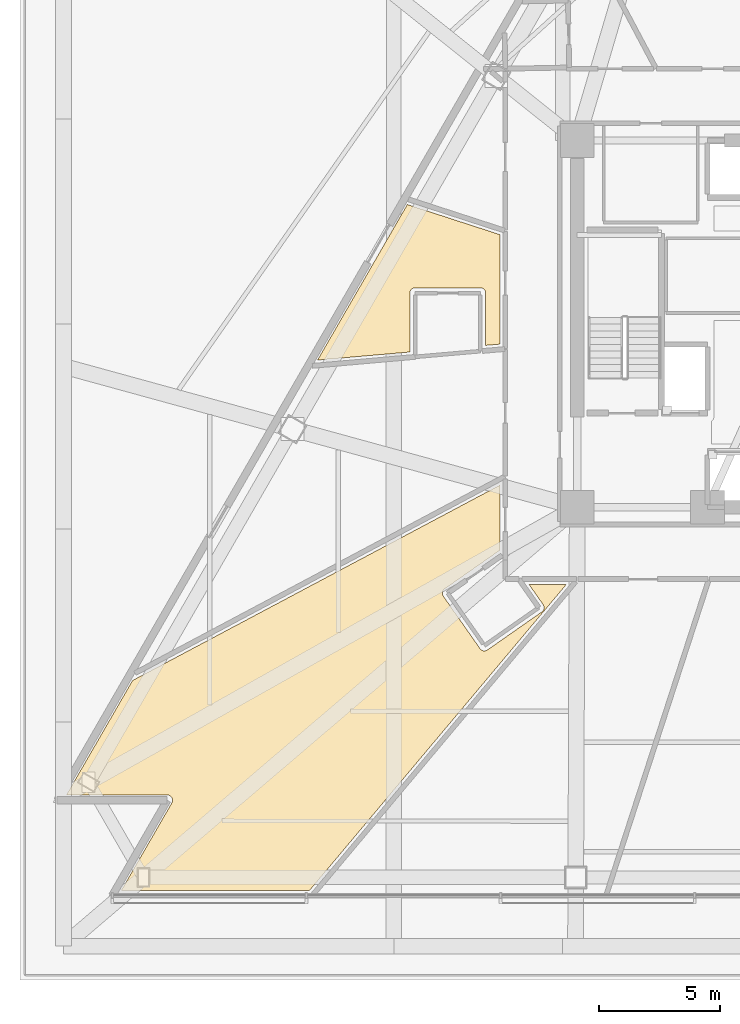
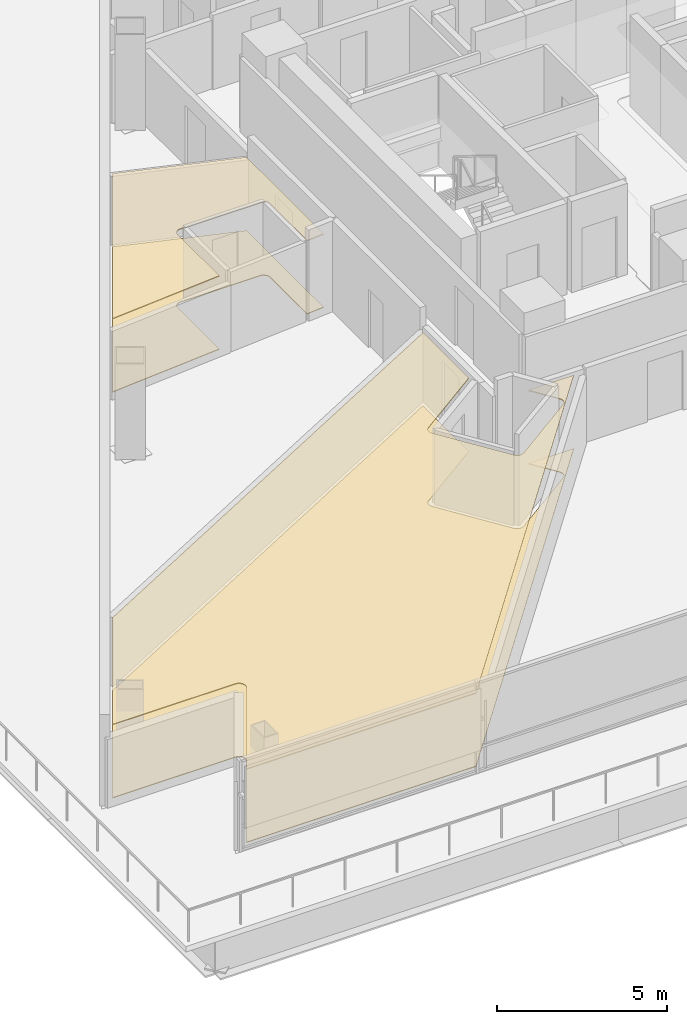
# One storey, part 15 of 19: 4 coverings.
"""IFC4 building model written with IfcOpenShell, lengths in metres."""

import ifcopenshell
import ifcopenshell.guid

model = None  # the IFC model being written
_history = None  # IfcOwnerHistory: only IFC2X3 demands one
_inside = {}  # id of a spatial element -> (the spatial element, [elements in it])
_under = {}  # id of a project, library or spatial element -> (it, [spatial elements below it])
_declared = {}  # id of a project -> (the project, [libraries it declares])
_typed = {}  # id of a type object -> (the type object, [elements of that type])
_made_of = {}  # id of a material, layer set ... -> (it, [elements and type objects made of it])


def new_model(schema):
    """Start an empty IFC model of exactly this schema.

    Asked for "IFC4X3", IfcOpenShell would pick the latest addendum, in which some entities
    have other attributes; the version numbers below select the first issue.
    IFC2X3 requires an IfcOwnerHistory on every rooted entity: one is made here for all.
    """
    global model, _history
    if schema == "IFC4X3":
        model = ifcopenshell.file(schema_version=(4, 3, 0, 0))
    else:
        model = ifcopenshell.file(schema=schema)
    _inside.clear()
    _under.clear()
    _declared.clear()
    _typed.clear()
    _made_of.clear()
    _history = None
    if model.schema == "IFC2X3":
        org = make("IfcOrganization", Name="unknown")
        user = make(
            "IfcPersonAndOrganization",
            ThePerson=make("IfcPerson", FamilyName="unknown"),
            TheOrganization=org,
        )
        app = make(
            "IfcApplication",
            ApplicationDeveloper=org,
            Version="unknown",
            ApplicationFullName="unknown",
            ApplicationIdentifier="unknown",
        )
        _history = make(
            "IfcOwnerHistory",
            OwningUser=user,
            OwningApplication=app,
            ChangeAction="ADDED",
            CreationDate=0,
        )
    return model


def make(cls, **values):
    """One entity of the class cls with the attributes given. An attribute that is None is left unset."""
    return model.create_entity(
        cls, **{name: value for name, value in values.items() if value is not None}
    )


def rooted(cls, **values):
    """An entity with a GlobalId (a new one), such as an element, a storey or a relation."""
    return make(cls, GlobalId=ifcopenshell.guid.new(), OwnerHistory=_history, **values)


def si_unit(unit_type, name, prefix=None):
    """IfcSIUnit, for example si_unit("LENGTHUNIT", "METRE", prefix="MILLI")."""
    return make("IfcSIUnit", UnitType=unit_type, Prefix=prefix, Name=name)


def assignment(units):
    """IfcUnitAssignment: the units of a project."""
    return None if units is None else make("IfcUnitAssignment", Units=units)


def point(xyz):
    """IfcCartesianPoint."""
    return None if xyz is None else make("IfcCartesianPoint", Coordinates=xyz)


def direction(xyz):
    """IfcDirection."""
    return None if xyz is None else make("IfcDirection", DirectionRatios=xyz)


def frame(location, z_axis=None, x_axis=None):
    """IfcAxis2Placement3D, a coordinate frame: its origin and axes. An axis left out is left unset."""
    return make(
        "IfcAxis2Placement3D",
        Location=point(location),
        Axis=direction(z_axis),
        RefDirection=direction(x_axis),
    )


def origin():
    """The frame at (0, 0, 0) with its axes left unset."""
    return frame((0.0, 0.0, 0.0))


def place(relative_to, where):
    """IfcLocalPlacement: puts the frame where relative to a parent placement (None: the world)."""
    return make(
        "IfcLocalPlacement", PlacementRelTo=relative_to, RelativePlacement=where
    )


def context(
    kind, dimensions, precision=None, world=None, true_north=None, identifier=None
):
    """IfcGeometricRepresentationContext, for example the 3D "Model" context."""
    return make(
        "IfcGeometricRepresentationContext",
        ContextIdentifier=identifier,
        ContextType=kind,
        CoordinateSpaceDimension=dimensions,
        Precision=precision,
        WorldCoordinateSystem=world,
        TrueNorth=true_north,
    )


def subcontext(parent, identifier, kind, view, scale=None):
    """IfcGeometricRepresentationSubContext, for example "Body" below "Model"."""
    return make(
        "IfcGeometricRepresentationSubContext",
        ContextIdentifier=identifier,
        ContextType=kind,
        ParentContext=parent,
        TargetScale=scale,
        TargetView=view,
    )


def project(units=None, contexts=None):
    """IfcProject with its units and contexts."""
    return rooted(
        "IfcProject",
        Name="project",
        RepresentationContexts=contexts,
        UnitsInContext=assignment(units),
    )


def spatial(cls, under=None, at=None, **own):
    """A site, building, storey or space (cls), placed at a placement, below another one or the project."""
    s = rooted(cls, ObjectPlacement=at, **own)
    if under is not None:
        _under.setdefault(under.id(), (under, []))[1].append(s)
    return s


def polyline(points):
    """IfcPolyline through the points."""
    return make("IfcPolyline", Points=[point(p) for p in points])


def outline(outer, holes=None, kind="AREA"):
    """IfcArbitraryClosedProfileDef: a profile drawn as a closed curve; with holes, ...WithVoids."""
    if holes is None:
        return make("IfcArbitraryClosedProfileDef", ProfileType=kind, OuterCurve=outer)
    return make(
        "IfcArbitraryProfileDefWithVoids",
        ProfileType=kind,
        OuterCurve=outer,
        InnerCurves=holes,
    )


def extrude(swept, where, along, depth):
    """IfcExtrudedAreaSolid: the profile swept, set in the frame where, extruded along a direction by depth."""
    return make(
        "IfcExtrudedAreaSolid",
        SweptArea=swept,
        Position=where,
        ExtrudedDirection=direction(along),
        Depth=depth,
    )


def shape(context_of_items, identifier, shape_type, items):
    """IfcShapeRepresentation: the items that make up one representation, for example the "Body"."""
    return make(
        "IfcShapeRepresentation",
        ContextOfItems=context_of_items,
        RepresentationIdentifier=identifier,
        RepresentationType=shape_type,
        Items=items,
    )


def material(Name=None, Category=None):
    """IfcMaterial."""
    return make("IfcMaterial", Name=Name, Category=Category)


def layer(
    of_material, thickness, ventilated=None, Name=None, Category=None, Priority=None
):
    """IfcMaterialLayer: one layer of a wall or slab, of a material (None: an air gap)."""
    return make(
        "IfcMaterialLayer",
        Material=of_material,
        LayerThickness=thickness,
        IsVentilated=ventilated,
        Name=Name,
        Category=Category,
        Priority=Priority,
    )


def layer_set(layers, Name=None):
    """IfcMaterialLayerSet."""
    return make("IfcMaterialLayerSet", MaterialLayers=layers, LayerSetName=Name)


def made_of(thing, what):
    """Note that an element or type object is made of a material, layer set ...; save() writes the relation."""
    if what is not None:
        _made_of.setdefault(what.id(), (what, []))[1].append(thing)
    return thing


def type_object(cls, material=None, **own):
    """A type object (cls), such as IfcWallType, which elements share."""
    return made_of(rooted(cls, **own), material)


def element(
    cls,
    number,
    at=None,
    inside=None,
    cuts=None,
    type_object=None,
    material=None,
    context=None,
    identifier="Body",
    shape_type=None,
    held_by="IfcProductDefinitionShape",
    body=None,
    shapes=None,
    **own,
):
    """One element of the class cls, such as IfcWall. Its Tag is "e" and its number.

    at: its placement. inside: the storey or other place that contains it. cuts: it is an
    opening in that element (IfcRelVoidsElement). A single representation is given by context,
    identifier, shape_type and body (its items); several are given by shapes. held_by: the class
    of the entity that holds the representations. save() writes the other relations.
    """
    e = rooted(cls, Tag="e%d" % number, ObjectPlacement=at, **own)
    if body is not None:
        shapes = [shape(context, identifier, shape_type, body)]
    if shapes is not None:
        e.Representation = make(held_by, Representations=shapes)
    if inside is not None:
        _inside.setdefault(inside.id(), (inside, []))[1].append(e)
    if cuts is not None:
        rooted(
            "IfcRelVoidsElement", RelatingBuildingElement=cuts, RelatedOpeningElement=e
        )
    if type_object is not None:
        _typed.setdefault(type_object.id(), (type_object, []))[1].append(e)
    return made_of(e, material)


def aggregate(whole, parts):
    """IfcRelAggregates: a whole, such as a stair, and the parts it consists of."""
    return rooted("IfcRelAggregates", RelatingObject=whole, RelatedObjects=parts)


def save(model, path):
    """Write the relations noted so far, then the file.

    IfcRelAggregates (storeys below a building ...), IfcRelContainedInSpatialStructure (elements
    in a storey), IfcRelDefinesByType, IfcRelAssociatesMaterial and IfcRelDeclares: one each for
    every whole, place, type object, material and project.
    """
    for whole, parts in _under.values():
        aggregate(whole, parts)
    for where, things in _inside.values():
        rooted(
            "IfcRelContainedInSpatialStructure",
            RelatedElements=things,
            RelatingStructure=where,
        )
    for kind, things in _typed.values():
        rooted("IfcRelDefinesByType", RelatedObjects=things, RelatingType=kind)
    for what, things in _made_of.values():
        rooted("IfcRelAssociatesMaterial", RelatedObjects=things, RelatingMaterial=what)
    for by, libraries in _declared.values():
        rooted("IfcRelDeclares", RelatingContext=by, RelatedDefinitions=libraries)
    model.write(path)


model = new_model("IFC4")

# Units and contexts
model_context = context("Model", 3, precision=1e-05, world=origin(), true_north=direction((0.0, 1.0)))
body_context = subcontext(model_context, "Body", "Model", "MODEL_VIEW")
ifc_project = project(units=[si_unit("LENGTHUNIT", "METRE"), si_unit("AREAUNIT", "SQUARE_METRE"), si_unit("VOLUMEUNIT", "CUBIC_METRE"), si_unit("PLANEANGLEUNIT", "RADIAN"), si_unit("MASSUNIT", "GRAM", prefix="KILO")], contexts=[model_context])

# Site, building, storey
site_placement = place(None, origin())
site = spatial("IfcSite", under=ifc_project, at=site_placement, CompositionType="ELEMENT")
building_placement = place(site_placement, origin())
building = spatial("IfcBuilding", under=site, at=building_placement, Name="Tharavind Bronze Gate", CompositionType="ELEMENT")
storey_placement = place(building_placement, frame((0.0, 0.0, 31.800048828125)))
storey = spatial("IfcBuildingStorey", under=building, at=storey_placement, Name="L06", CompositionType="ELEMENT", Elevation=31.800048828125)

# Coverings
ifc_material_1 = material(Name="Engineered Oak & Carpet Tile", Category="wood")
ifc_layer_1 = layer(ifc_material_1, 0.02490234375)
ifc_layer_set_1 = layer_set([ifc_layer_1], Name="Engineered Oak & Carpet Tile")
covering_type_1 = type_object("IfcCoveringType", Name="ENGINEERED TIMBER FLOORING", PredefinedType="FLOORING", material=ifc_layer_set_1)
covering_1_placement = place(storey_placement, origin())
element("IfcCovering", 1, at=covering_1_placement, inside=storey, type_object=covering_type_1, Name="L06-RM-08 floor finish", PredefinedType="FLOORING", context=body_context, shape_type="SweptSolid", body=[
    extrude(outline(polyline([(-15.8359375, -1.16455078125), (-15.8359375, 1.278076171875), (-15.834716796875, 1.2998046875), (-15.831787109375, 1.321044921875), (-15.826416015625, 1.342041015625), (-15.819091796875, 1.3623046875), (-15.809814453125, 1.3818359375), (-15.798828125, 1.400390625), (-15.785888671875, 1.417724609375), (-15.771484375, 1.43359375), (-15.755615234375, 1.4482421875), (-15.738037109375, 1.461181640625), (-15.719482421875, 1.47216796875), (-15.7001953125, 1.4814453125), (-15.6796875, 1.48876953125), (-15.65869140625, 1.493896484375), (-15.637451171875, 1.4970703125), (-15.615966796875, 1.498046875), (-12.916015625, 1.498046875), (-12.894287109375, 1.4970703125), (-12.873046875, 1.493896484375), (-12.85205078125, 1.48876953125), (-12.831787109375, 1.4814453125), (-12.812255859375, 1.47216796875), (-12.793701171875, 1.461181640625), (-12.7763671875, 1.4482421875), (-12.76025390625, 1.43359375), (-12.745849609375, 1.417724609375), (-12.73291015625, 1.400390625), (-12.721923828125, 1.3818359375), (-12.712646484375, 1.3623046875), (-12.705322265625, 1.342041015625), (-12.7001953125, 1.321044921875), (-12.697021484375, 1.2998046875), (-12.69580078125, 1.278076171875), (-12.69580078125, -0.889892578125), (-12.10009765625, -0.837890625), (-12.10009765625, 3.7001953125), (-15.941650390625, 4.948486328125), (-19.664306640625, -1.49951171875), (-15.8359375, -1.16455078125)])), origin(), (0.0, 0.0, 1.0), 0.02490234375),
])
covering_2_placement = place(storey_placement, origin())
element("IfcCovering", 2, at=covering_2_placement, inside=storey, type_object=covering_type_1, Name="L06-RM-10 floor finish", PredefinedType="FLOORING", context=body_context, shape_type="SweptSolid", body=[
    extrude(outline(polyline([(-25.896484375, -19.531005859375), (-25.885498046875, -19.53125), (-25.885009765625, -19.53125), (-25.863037109375, -19.533447265625), (-25.841552734375, -19.53759765625), (-25.820556640625, -19.544189453125), (-25.80029296875, -19.552734375), (-25.781005859375, -19.563232421875), (-25.762939453125, -19.57568359375), (-25.74609375, -19.589599609375), (-25.73095703125, -19.60546875), (-25.71728515625, -19.62255859375), (-25.705322265625, -19.640869140625), (-25.6953125, -19.660400390625), (-25.687255859375, -19.680908203125), (-25.681396484375, -19.701904296875), (-25.677490234375, -19.7236328125), (-25.67578125, -19.745361328125), (-25.676513671875, -19.767333984375), (-25.67919921875, -19.7890625), (-25.68408203125, -19.810546875), (-25.691162109375, -19.831298828125), (-25.7001953125, -19.851318359375), (-25.7001953125, -19.851806640625), (-25.70556640625, -19.861328125), (-27.794677734375, -23.47998046875), (-19.9892578125, -23.47998046875), (-9.349609375, -10.800048828125), (-10.897705078125, -10.800048828125), (-10.31396484375, -11.63427734375), (-10.302490234375, -11.652587890625), (-10.29296875, -11.671875), (-10.28515625, -11.692138671875), (-10.279541015625, -11.712890625), (-10.27587890625, -11.734130859375), (-10.2744140625, -11.755615234375), (-10.27490234375, -11.77734375), (-10.277587890625, -11.798583984375), (-10.282470703125, -11.81982421875), (-10.289306640625, -11.84033203125), (-10.298095703125, -11.860107421875), (-10.308837890625, -11.878662109375), (-10.3212890625, -11.896240234375), (-10.33544921875, -11.91259765625), (-10.35107421875, -11.927490234375), (-10.3681640625, -11.940673828125), (-12.62158203125, -13.51708984375), (-12.639892578125, -13.528564453125), (-12.6591796875, -13.5380859375), (-12.67919921875, -13.5458984375), (-12.7001953125, -13.551513671875), (-12.721435546875, -13.55517578125), (-12.742919921875, -13.556640625), (-12.764404296875, -13.55615234375), (-12.785888671875, -13.553466796875), (-12.806884765625, -13.548583984375), (-12.827392578125, -13.541748046875), (-12.84716796875, -13.532958984375), (-12.865966796875, -13.522216796875), (-12.883544921875, -13.509765625), (-12.89990234375, -13.49560546875), (-12.914794921875, -13.47998046875), (-12.927978515625, -13.462890625), (-14.447021484375, -11.29150390625), (-14.45849609375, -11.273193359375), (-14.468017578125, -11.25390625), (-14.475830078125, -11.233642578125), (-14.4814453125, -11.212890625), (-14.485107421875, -11.19140625), (-14.486572265625, -11.169921875), (-14.486083984375, -11.1484375), (-14.4833984375, -11.126953125), (-14.478515625, -11.10595703125), (-14.4716796875, -11.08544921875), (-14.462890625, -11.06591796875), (-14.4521484375, -11.047119140625), (-14.439697265625, -11.029296875), (-14.425537109375, -11.01318359375), (-14.409912109375, -10.998291015625), (-14.392822265625, -10.985107421875), (-12.139404296875, -9.40869140625), (-12.12109375, -9.397216796875), (-12.101806640625, -9.3876953125), (-12.10009765625, -9.386962890625), (-12.10009765625, -6.682861328125), (-27.333251953125, -14.782470703125), (-30.07470703125, -19.531005859375), (-25.896484375, -19.531005859375)])), origin(), (0.0, 0.0, 1.0), 0.02490234375),
])
ifc_material_2 = material(Name="Acoustic Gypsum Board", Category="gypsum")
ifc_layer_2 = layer(ifc_material_2, 0.030029296875)
ifc_layer_set_2 = layer_set([ifc_layer_2], Name="Acoustic Gypsum Board")
covering_type_2 = type_object("IfcCoveringType", Name="GYPSUM SUSPENDED CEILING", PredefinedType="CEILING", material=ifc_layer_set_2)
covering_3_placement = place(storey_placement, frame((0.0, 0.0, 2.625)))
element("IfcCovering", 3, at=covering_3_placement, inside=storey, type_object=covering_type_2, Name="L06-RM-08 suspended ceiling", PredefinedType="CEILING", context=body_context, shape_type="SweptSolid", body=[
    extrude(outline(polyline([(-15.8359375, -1.16455078125), (-15.8359375, 1.278076171875), (-15.834716796875, 1.2998046875), (-15.831787109375, 1.321044921875), (-15.826416015625, 1.342041015625), (-15.819091796875, 1.3623046875), (-15.809814453125, 1.3818359375), (-15.798828125, 1.400390625), (-15.785888671875, 1.417724609375), (-15.771484375, 1.43359375), (-15.755615234375, 1.4482421875), (-15.738037109375, 1.461181640625), (-15.719482421875, 1.47216796875), (-15.7001953125, 1.4814453125), (-15.6796875, 1.48876953125), (-15.65869140625, 1.493896484375), (-15.637451171875, 1.4970703125), (-15.615966796875, 1.498046875), (-12.916015625, 1.498046875), (-12.894287109375, 1.4970703125), (-12.873046875, 1.493896484375), (-12.85205078125, 1.48876953125), (-12.831787109375, 1.4814453125), (-12.812255859375, 1.47216796875), (-12.793701171875, 1.461181640625), (-12.7763671875, 1.4482421875), (-12.76025390625, 1.43359375), (-12.745849609375, 1.417724609375), (-12.73291015625, 1.400390625), (-12.721923828125, 1.3818359375), (-12.712646484375, 1.3623046875), (-12.705322265625, 1.342041015625), (-12.7001953125, 1.321044921875), (-12.697021484375, 1.2998046875), (-12.69580078125, 1.278076171875), (-12.69580078125, -0.889892578125), (-12.10009765625, -0.837890625), (-12.10009765625, 3.7001953125), (-15.941650390625, 4.948486328125), (-19.664306640625, -1.49951171875), (-15.8359375, -1.16455078125)])), origin(), (0.0, 0.0, 1.0), 0.034912109375),
])
covering_4_placement = place(storey_placement, frame((0.0, 0.0, 2.625)))
element("IfcCovering", 4, at=covering_4_placement, inside=storey, type_object=covering_type_2, Name="L06-RM-10 suspended ceiling", PredefinedType="CEILING", context=body_context, shape_type="SweptSolid", body=[
    extrude(outline(polyline([(-25.896484375, -19.531005859375), (-25.885498046875, -19.53125), (-25.885009765625, -19.53125), (-25.863037109375, -19.533447265625), (-25.841552734375, -19.53759765625), (-25.820556640625, -19.544189453125), (-25.80029296875, -19.552734375), (-25.781005859375, -19.563232421875), (-25.762939453125, -19.57568359375), (-25.74609375, -19.589599609375), (-25.73095703125, -19.60546875), (-25.71728515625, -19.62255859375), (-25.705322265625, -19.640869140625), (-25.6953125, -19.660400390625), (-25.687255859375, -19.680908203125), (-25.681396484375, -19.701904296875), (-25.677490234375, -19.7236328125), (-25.67578125, -19.745361328125), (-25.676513671875, -19.767333984375), (-25.67919921875, -19.7890625), (-25.68408203125, -19.810546875), (-25.691162109375, -19.831298828125), (-25.7001953125, -19.851318359375), (-25.7001953125, -19.851806640625), (-25.70556640625, -19.861328125), (-27.794677734375, -23.47998046875), (-19.9892578125, -23.47998046875), (-9.349609375, -10.800048828125), (-10.897705078125, -10.800048828125), (-10.31396484375, -11.63427734375), (-10.302490234375, -11.652587890625), (-10.29296875, -11.671875), (-10.28515625, -11.692138671875), (-10.279541015625, -11.712890625), (-10.27587890625, -11.734130859375), (-10.2744140625, -11.755615234375), (-10.27490234375, -11.77734375), (-10.277587890625, -11.798583984375), (-10.282470703125, -11.81982421875), (-10.289306640625, -11.84033203125), (-10.298095703125, -11.860107421875), (-10.308837890625, -11.878662109375), (-10.3212890625, -11.896240234375), (-10.33544921875, -11.91259765625), (-10.35107421875, -11.927490234375), (-10.3681640625, -11.940673828125), (-12.62158203125, -13.51708984375), (-12.639892578125, -13.528564453125), (-12.6591796875, -13.5380859375), (-12.67919921875, -13.5458984375), (-12.7001953125, -13.551513671875), (-12.721435546875, -13.55517578125), (-12.742919921875, -13.556640625), (-12.764404296875, -13.55615234375), (-12.785888671875, -13.553466796875), (-12.806884765625, -13.548583984375), (-12.827392578125, -13.541748046875), (-12.84716796875, -13.532958984375), (-12.865966796875, -13.522216796875), (-12.883544921875, -13.509765625), (-12.89990234375, -13.49560546875), (-12.914794921875, -13.47998046875), (-12.927978515625, -13.462890625), (-14.447021484375, -11.29150390625), (-14.45849609375, -11.273193359375), (-14.468017578125, -11.25390625), (-14.475830078125, -11.233642578125), (-14.4814453125, -11.212890625), (-14.485107421875, -11.19140625), (-14.486572265625, -11.169921875), (-14.486083984375, -11.1484375), (-14.4833984375, -11.126953125), (-14.478515625, -11.10595703125), (-14.4716796875, -11.08544921875), (-14.462890625, -11.06591796875), (-14.4521484375, -11.047119140625), (-14.439697265625, -11.029296875), (-14.425537109375, -11.01318359375), (-14.409912109375, -10.998291015625), (-14.392822265625, -10.985107421875), (-12.139404296875, -9.40869140625), (-12.12109375, -9.397216796875), (-12.101806640625, -9.3876953125), (-12.10009765625, -9.386962890625), (-12.10009765625, -6.682861328125), (-27.333251953125, -14.782470703125), (-30.07470703125, -19.531005859375), (-25.896484375, -19.531005859375)])), origin(), (0.0, 0.0, 1.0), 0.034912109375),
])

save(model, "model.ifc")
